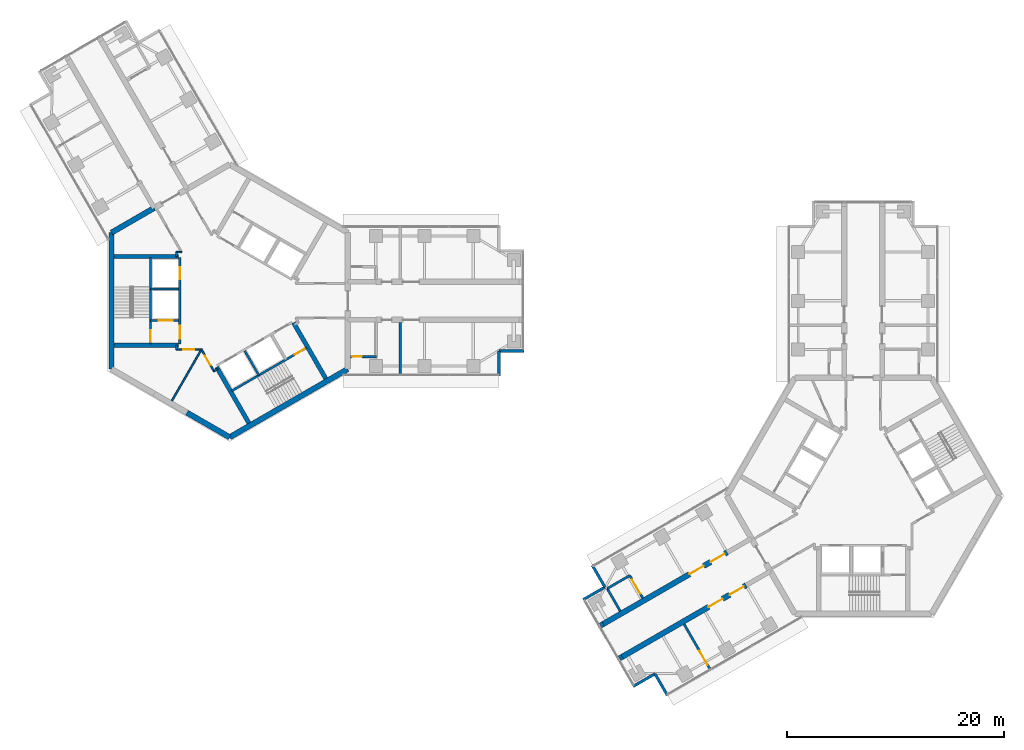
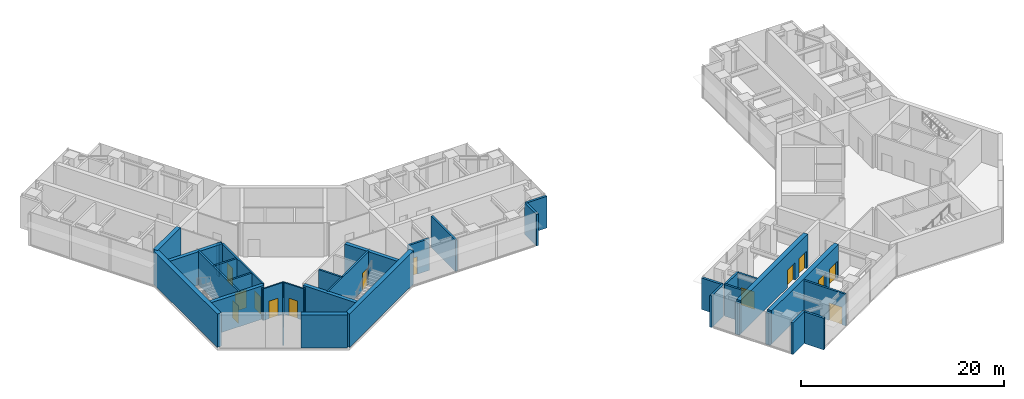
# One storey, part 11 of 17: 37 walls, 14 doors, 14 openings.
"""IFC4 building model written with IfcOpenShell, lengths in metres."""

from ifc_helpers import new_model, si_unit, direction, frame, frame_2d, origin, place, context, subcontext, project, spatial, rectangle, extrude, material, layer, layer_set, type_object, element, fill, save


model = new_model("IFC4")

# Units and contexts
model_context = context("Model", 3, precision=1e-05, world=origin(), true_north=direction((0.0, 1.0)))
body_context = subcontext(model_context, "Body", "Model", "MODEL_VIEW")
ifc_project = project(units=[si_unit("LENGTHUNIT", "METRE"), si_unit("AREAUNIT", "SQUARE_METRE"), si_unit("VOLUMEUNIT", "CUBIC_METRE"), si_unit("PLANEANGLEUNIT", "RADIAN"), si_unit("MASSUNIT", "GRAM", prefix="KILO")], contexts=[model_context])

# Site, building, storey
site_placement = place(None, origin())
site = spatial("IfcSite", under=ifc_project, at=site_placement, CompositionType="ELEMENT")
building_placement = place(site_placement, origin())
building = spatial("IfcBuilding", under=site, at=building_placement, Name="Upepo Twin Towers", CompositionType="ELEMENT")
storey_placement = place(building_placement, frame((0.0, 0.0, 178.5)))
storey = spatial("IfcBuildingStorey", under=building, at=storey_placement, Name="L43", CompositionType="ELEMENT", Elevation=178.5)

# Wall
ifc_material_1 = material(Name="Concrete blockwork, plastered both faces", Category="masonry")
ifc_layer_1 = layer(ifc_material_1, 0.215087890625)
ifc_layer_set_1 = layer_set([ifc_layer_1], Name="Blockwork partition 215")
wall_type_1 = type_object("IfcWallType", Name="Blockwork partition 215", PredefinedType="PARTITIONING", material=ifc_layer_set_1)
wall_1_placement = place(storey_placement, frame((15.75, -2.0, 0.0), z_axis=(0.0, 0.0, 1.0), x_axis=(0.0, -1.0, 0.0)))
element("IfcWall", 1, at=wall_1_placement, inside=storey, type_object=wall_type_1, Name="T1 partition AR at 15.75", PredefinedType="PARTITIONING", context=body_context, shape_type="SweptSolid", body=[
    extrude(rectangle(XDim=4.75, YDim=0.215087890625, at=frame_2d((2.375, 0.0))), origin(), (0.0, 0.0, 1.0), 3.800048828125),
])

# Wall, opening, door
wall_2_placement = place(storey_placement, frame((11.157958984375, -5.14990234375, 0.0), z_axis=(0.0, 0.0, 1.0), x_axis=(1.0, 0.0, 0.0)))
wall_2 = element("IfcWall", 2, at=wall_2_placement, inside=storey, type_object=wall_type_1, Name="T1 WC bay partition AR at 11.16", PredefinedType="PARTITIONING", context=body_context, shape_type="SweptSolid", body=[
    extrude(rectangle(XDim=2.400146484375, YDim=0.215087890625, at=frame_2d((1.2001953125, 0.0))), origin(), (0.0, 0.0, 1.0), 3.800048828125),
])
opening_1_placement = place(wall_2_placement, frame((0.14990234375, 0.0, 0.0)))
opening_1 = element("IfcOpeningElement", 3, at=opening_1_placement, cuts=wall_2, Name="Opening D14", PredefinedType="OPENING", context=body_context, shape_type="SweptSolid", body=[
    extrude(rectangle(XDim=0.89990234375, YDim=2.10009765625, at=frame_2d((0.449951171875, 1.050048828125))), frame((0.0, 0.117431640625, 0.0), z_axis=(0.0, -1.0, 0.0), x_axis=(1.0, 0.0, 0.0)), (0.0, 0.0, 1.0), 0.235107421875),
])
ifc_material_2 = material(Name="Timber doorset", Category="wood")
door_type_1 = type_object("IfcDoorType", Name="Office door 900 FD30", OperationType="SINGLE_SWING_LEFT", PredefinedType="DOOR", material=ifc_material_2)
door_1_placement = place(opening_1_placement, origin())
door_1 = element("IfcDoor", 4, at=door_1_placement, inside=storey, type_object=door_type_1, Name="T1 L43 WC bay inner room door", OperationType="SINGLE_SWING_LEFT", OverallHeight=2.10009765625, OverallWidth=0.89990234375, PredefinedType="DOOR", context=body_context, shape_type="SweptSolid", body=[
    extrude(rectangle(XDim=0.89990234375, YDim=2.10009765625, at=frame_2d((0.449951171875, 1.050048828125))), frame((0.0, 0.02490234375, 0.0), z_axis=(0.0, -1.0, 0.0), x_axis=(1.0, 0.0, 0.0)), (0.0, 0.0, 1.0), 0.050048828125),
])
fill(opening_1, door_1)

wall_3_placement = place(storey_placement, frame((41.962890625, -29.85693359375, 0.0), z_axis=(0.0, 0.0, 1.0), x_axis=(0.499986429846, -0.866033238375, 0.0)))
wall_3 = element("IfcWall", 5, at=wall_3_placement, inside=storey, type_object=wall_type_1, Name="T2 partition BL at 20.25", PredefinedType="PARTITIONING", context=body_context, shape_type="SweptSolid", body=[
    extrude(rectangle(XDim=4.750244140625, YDim=0.215087890625, at=frame_2d((2.375, 0.0))), origin(), (0.0, 0.0, 1.0), 3.800048828125),
])
opening_2_placement = place(wall_3_placement, frame((2.85009765625, 0.0, 0.0)))
opening_2 = element("IfcOpeningElement", 6, at=opening_2_placement, cuts=wall_3, Name="Opening D13", PredefinedType="OPENING", context=body_context, shape_type="SweptSolid", body=[
    extrude(rectangle(XDim=1.5, YDim=2.10009765625, at=frame_2d((0.75, 1.050048828125))), frame((0.0, 0.117431640625, 0.0), z_axis=(0.0, -1.0, 0.0), x_axis=(1.0, 0.0, 0.0)), (0.0, 0.0, 1.0), 0.235107421875),
])
ifc_material_3 = material(Name="Timber doorset", Category="wood")
door_type_2 = type_object("IfcDoorType", Name="Double door 1500 FD30", OperationType="DOUBLE_DOOR_SINGLE_SWING", PredefinedType="DOOR", material=ifc_material_3)
door_2_placement = place(opening_2_placement, origin())
door_2 = element("IfcDoor", 7, at=door_2_placement, inside=storey, type_object=door_type_2, Name="T2 L43 connecting door", OperationType="DOUBLE_DOOR_SINGLE_SWING", OverallHeight=2.10009765625, OverallWidth=1.5, PredefinedType="DOOR", context=body_context, shape_type="SweptSolid", body=[
    extrude(rectangle(XDim=1.5, YDim=2.10009765625, at=frame_2d((0.75, 1.050048828125))), frame((0.0, 0.02490234375, 0.0), z_axis=(0.0, -1.0, 0.0), x_axis=(1.0, 0.0, 0.0)), (0.0, 0.0, 1.0), 0.050048828125),
])
fill(opening_2, door_2)

# Wall
wall_4_placement = place(storey_placement, frame((36.9443359375, -25.364501953125, 0.0), z_axis=(0.0, 0.0, 1.0), x_axis=(-0.866024647952, -0.500001309137, 0.0)))
element("IfcWall", 8, at=wall_4_placement, inside=storey, type_object=wall_type_1, Name="T2 inner room partition BR at 22.35", PredefinedType="PARTITIONING", context=body_context, shape_type="SweptSolid", body=[
    extrude(rectangle(XDim=2.39990234375, YDim=0.215087890625, at=frame_2d((1.199951171875, 0.0))), origin(), (0.0, 0.0, 1.0), 3.800048828125),
])

# Wall, opening, door
wall_5_placement = place(storey_placement, frame((38.144287109375, -27.44287109375, 0.0), z_axis=(0.0, 0.0, 1.0), x_axis=(-0.500001309137, 0.866024647952, 0.0)))
wall_5 = element("IfcWall", 9, at=wall_5_placement, inside=storey, type_object=wall_type_1, Name="T2 inner room partition BR end at 22.35", PredefinedType="PARTITIONING", context=body_context, shape_type="SweptSolid", body=[
    extrude(rectangle(XDim=2.39990234375, YDim=0.215087890625, at=frame_2d((1.199951171875, 0.0))), origin(), (0.0, 0.0, 1.0), 3.800048828125),
])
opening_3_placement = place(wall_5_placement, frame((0.449951171875, 0.0, 0.0)))
opening_3 = element("IfcOpeningElement", 10, at=opening_3_placement, cuts=wall_5, Name="Opening D13", PredefinedType="OPENING", context=body_context, shape_type="SweptSolid", body=[
    extrude(rectangle(XDim=1.5, YDim=2.10009765625, at=frame_2d((0.75, 1.050048828125))), frame((0.0, 0.117431640625, 0.0), z_axis=(0.0, -1.0, 0.0), x_axis=(1.0, 0.0, 0.0)), (0.0, 0.0, 1.0), 0.235107421875),
])
door_3_placement = place(opening_3_placement, origin())
door_3 = element("IfcDoor", 11, at=door_3_placement, inside=storey, type_object=door_type_2, Name="T2 L43 inner room door", OperationType="DOUBLE_DOOR_SINGLE_SWING", OverallHeight=2.10009765625, OverallWidth=1.5, PredefinedType="DOOR", context=body_context, shape_type="SweptSolid", body=[
    extrude(rectangle(XDim=1.5, YDim=2.10009765625, at=frame_2d((0.75, 1.050048828125))), frame((0.0, 0.02490234375, 0.0), z_axis=(0.0, -1.0, 0.0), x_axis=(1.0, 0.0, 0.0)), (0.0, 0.0, 1.0), 0.050048828125),
])
fill(opening_3, door_3)

# Walls
wall_6_placement = place(storey_placement, frame((36.06591796875, -28.64306640625, 0.0), z_axis=(0.0, 0.0, 1.0), x_axis=(-0.499957262057, 0.866050077142, 0.0)))
element("IfcWall", 12, at=wall_6_placement, inside=storey, type_object=wall_type_1, Name="T2 inner room partition BR end at 24.75", PredefinedType="PARTITIONING", context=body_context, shape_type="SweptSolid", body=[
    extrude(rectangle(XDim=2.400146484375, YDim=0.215087890625, at=frame_2d((1.2001953125, 0.0))), origin(), (0.0, 0.0, 1.0), 3.800048828125),
])
ifc_material_4 = material(Name="Dense concrete blockwork", Category="masonry")
ifc_layer_2 = layer(ifc_material_4, 0.5)
ifc_layer_set_2 = layer_set([ifc_layer_2], Name="Buttress closer 500, blockwork with fire-stopping to the curtain wall")
wall_type_2 = type_object("IfcWallType", Name="Buttress closer 500, blockwork with fire-stopping to the curtain wall", PredefinedType="PARTITIONING", material=ifc_layer_set_2)
for number, where, z_axis, x_axis, name in (
    (13, (36.252197265625, -32.865478515625, 0.0), (0.0, 0.0, 1.0), (-0.86598763626, -0.500065409566, 0.0), "T2 L43 wing B buttress closer L"),
    (14, (34.502197265625, -29.83447265625, 0.0), (0.0, 0.0, 1.0), (-0.86598763626, -0.500065409566, 0.0), "T2 L43 wing B buttress closer R"),
):
    element("IfcWall", number, at=place(storey_placement, frame(where, z_axis=z_axis, x_axis=x_axis)), inside=storey, type_object=wall_type_2, Name=name, PredefinedType="PARTITIONING", context=body_context, shape_type="SweptSolid", body=[
        extrude(rectangle(XDim=0.28759765625, YDim=0.5, at=frame_2d((0.143798828125, 0.0))), origin(), (0.0, 0.0, 1.0), 3.800048828125),
    ])

# Wall, openings, doors
ifc_material_5 = material(Name="Concrete C60/75", Category="concrete")
ifc_layer_3 = layer(ifc_material_5, 0.5)
ifc_layer_set_3 = layer_set([ifc_layer_3], Name="Concrete C60/75")
wall_type_3 = type_object("IfcWallType", Name="Buttress wall 500 RC", PredefinedType="SHEAR", material=ifc_layer_set_3)
wall_7_placement = place(storey_placement, frame((47.68359375, -26.265625, 0.0), z_axis=(0.0, 0.0, 1.0), x_axis=(-0.866027579429, -0.499996231654, 0.0)))
wall_7 = element("IfcWall", 15, at=wall_7_placement, inside=storey, type_object=wall_type_3, Name="T2 wing B buttress wall L part 2", PredefinedType="SHEAR", context=body_context, shape_type="SweptSolid", body=[
    extrude(rectangle(XDim=13.19970703125, YDim=0.5, at=frame_2d((6.599853515625, 0.0))), origin(), (0.0, 0.0, 1.0), 4.0),
])
opening_4_placement = place(wall_7_placement, frame((0.25, 0.0, 0.0)))
opening_4 = element("IfcOpeningElement", 16, at=opening_4_placement, cuts=wall_7, Name="Opening D13", PredefinedType="OPENING", context=body_context, shape_type="SweptSolid", body=[
    extrude(rectangle(XDim=1.5, YDim=2.10009765625, at=frame_2d((0.75, 1.050048828125))), frame((0.0, 0.260009765625, 0.0), z_axis=(0.0, -1.0, 0.0), x_axis=(1.0, 0.0, 0.0)), (0.0, 0.0, 1.0), 0.52001953125),
])
opening_5_placement = place(wall_7_placement, frame((2.5, 0.0, 0.0)))
opening_5 = element("IfcOpeningElement", 17, at=opening_5_placement, cuts=wall_7, Name="Opening D13", PredefinedType="OPENING", context=body_context, shape_type="SweptSolid", body=[
    extrude(rectangle(XDim=1.5, YDim=2.10009765625, at=frame_2d((0.75, 1.050048828125))), frame((0.0, 0.260009765625, 0.0), z_axis=(0.0, -1.0, 0.0), x_axis=(1.0, 0.0, 0.0)), (0.0, 0.0, 1.0), 0.52001953125),
])
door_4_placement = place(opening_4_placement, origin())
door_4 = element("IfcDoor", 18, at=door_4_placement, inside=storey, type_object=door_type_2, Name="T2 L43 lecture room door", OperationType="DOUBLE_DOOR_SINGLE_SWING", OverallHeight=2.10009765625, OverallWidth=1.5, PredefinedType="DOOR", context=body_context, shape_type="SweptSolid", body=[
    extrude(rectangle(XDim=1.5, YDim=2.10009765625, at=frame_2d((0.75, 1.050048828125))), frame((0.0, 0.02490234375, 0.0), z_axis=(0.0, -1.0, 0.0), x_axis=(1.0, 0.0, 0.0)), (0.0, 0.0, 1.0), 0.050048828125),
])
fill(opening_4, door_4)
door_5_placement = place(opening_5_placement, origin())
door_5 = element("IfcDoor", 19, at=door_5_placement, inside=storey, type_object=door_type_2, Name="T2 L43 lecture room door", OperationType="DOUBLE_DOOR_SINGLE_SWING", OverallHeight=2.10009765625, OverallWidth=1.5, PredefinedType="DOOR", context=body_context, shape_type="SweptSolid", body=[
    extrude(rectangle(XDim=1.5, YDim=2.10009765625, at=frame_2d((0.75, 1.050048828125))), frame((0.0, 0.02490234375, 0.0), z_axis=(0.0, -1.0, 0.0), x_axis=(1.0, 0.0, 0.0)), (0.0, 0.0, 1.0), 0.050048828125),
])
fill(opening_5, door_5)

wall_8_placement = place(storey_placement, frame((45.93359375, -23.234375, 0.0), z_axis=(0.0, 0.0, 1.0), x_axis=(-0.866019570528, -0.500010103361, 0.0)))
wall_8 = element("IfcWall", 20, at=wall_8_placement, inside=storey, type_object=wall_type_3, Name="T2 wing B buttress wall R part 2", PredefinedType="SHEAR", context=body_context, shape_type="SweptSolid", body=[
    extrude(rectangle(XDim=13.199951171875, YDim=0.5, at=frame_2d((6.60009765625, 0.0))), origin(), (0.0, 0.0, 1.0), 4.0),
])
opening_6_placement = place(wall_8_placement, frame((0.25, 0.0, 0.0)))
opening_6 = element("IfcOpeningElement", 21, at=opening_6_placement, cuts=wall_8, Name="Opening D13", PredefinedType="OPENING", context=body_context, shape_type="SweptSolid", body=[
    extrude(rectangle(XDim=1.5, YDim=2.10009765625, at=frame_2d((0.75, 1.050048828125))), frame((0.0, 0.260009765625, 0.0), z_axis=(0.0, -1.0, 0.0), x_axis=(1.0, 0.0, 0.0)), (0.0, 0.0, 1.0), 0.52001953125),
])
opening_7_placement = place(wall_8_placement, frame((2.5, 0.0, 0.0)))
opening_7 = element("IfcOpeningElement", 22, at=opening_7_placement, cuts=wall_8, Name="Opening D13", PredefinedType="OPENING", context=body_context, shape_type="SweptSolid", body=[
    extrude(rectangle(XDim=1.5, YDim=2.10009765625, at=frame_2d((0.75, 1.050048828125))), frame((0.0, 0.260009765625, 0.0), z_axis=(0.0, -1.0, 0.0), x_axis=(1.0, 0.0, 0.0)), (0.0, 0.0, 1.0), 0.52001953125),
])
door_6_placement = place(opening_6_placement, origin())
door_6 = element("IfcDoor", 23, at=door_6_placement, inside=storey, type_object=door_type_2, Name="T2 L43 lecture room door", OperationType="DOUBLE_DOOR_SINGLE_SWING", OverallHeight=2.10009765625, OverallWidth=1.5, PredefinedType="DOOR", context=body_context, shape_type="SweptSolid", body=[
    extrude(rectangle(XDim=1.5, YDim=2.10009765625, at=frame_2d((0.75, 1.050048828125))), frame((0.0, 0.02490234375, 0.0), z_axis=(0.0, -1.0, 0.0), x_axis=(1.0, 0.0, 0.0)), (0.0, 0.0, 1.0), 0.050048828125),
])
fill(opening_6, door_6)
door_7_placement = place(opening_7_placement, origin())
door_7 = element("IfcDoor", 24, at=door_7_placement, inside=storey, type_object=door_type_2, Name="T2 L43 lecture room door", OperationType="DOUBLE_DOOR_SINGLE_SWING", OverallHeight=2.10009765625, OverallWidth=1.5, PredefinedType="DOOR", context=body_context, shape_type="SweptSolid", body=[
    extrude(rectangle(XDim=1.5, YDim=2.10009765625, at=frame_2d((0.75, 1.050048828125))), frame((0.0, 0.02490234375, 0.0), z_axis=(0.0, -1.0, 0.0), x_axis=(1.0, 0.0, 0.0)), (0.0, 0.0, 1.0), 0.050048828125),
])
fill(opening_7, door_7)

# Walls
ifc_material_6 = material(Name="Concrete C60/75", Category="concrete")
ifc_layer_4 = layer(ifc_material_6, 0.5)
ifc_layer_set_4 = layer_set([ifc_layer_4], Name="Concrete C60/75")
wall_type_4 = type_object("IfcWallType", Name="Core wall 500 RC", PredefinedType="SHEAR", material=ifc_layer_set_4)
wall_9_placement = place(storey_placement, frame((-6.9697265625, 8.57177734375, 0.0), z_axis=(0.0, 0.0, 1.0), x_axis=(-0.866034513004, -0.499984222037, 0.0)))
element("IfcWall", 25, at=wall_9_placement, inside=storey, type_object=wall_type_4, Name="T1 core wall 120 L", PredefinedType="SHEAR", context=body_context, shape_type="SweptSolid", body=[
    extrude(rectangle(XDim=4.548095703125, YDim=0.5, at=frame_2d((2.27392578125, 0.0))), origin(), (0.0, 0.0, 1.0), 4.0),
])
wall_10_placement = place(storey_placement, frame((-10.908447265625, 6.2978515625, 0.0), z_axis=(0.0, 0.0, 1.0), x_axis=(0.0, -1.0, 0.0)))
element("IfcWall", 26, at=wall_10_placement, inside=storey, type_object=wall_type_4, Name="T1 core wall 180", PredefinedType="SHEAR", context=body_context, shape_type="SweptSolid", body=[
    extrude(rectangle(XDim=12.595703125, YDim=0.5, at=frame_2d((6.2978515625, 0.0))), origin(), (0.0, 0.0, 1.0), 4.0),
])
wall_11_placement = place(storey_placement, frame((-3.938720703125, -10.32177734375, 0.0), z_axis=(0.0, 0.0, 1.0), x_axis=(0.866011268655, -0.500024481964, 0.0)))
element("IfcWall", 27, at=wall_11_placement, inside=storey, type_object=wall_type_4, Name="T1 core wall 240 L", PredefinedType="SHEAR", context=body_context, shape_type="SweptSolid", body=[
    extrude(rectangle(XDim=4.548095703125, YDim=0.5, at=frame_2d((2.27392578125, 0.0))), origin(), (0.0, 0.0, 1.0), 4.0),
])
wall_12_placement = place(storey_placement, frame((0.0, -12.595947265625, 0.0), z_axis=(0.0, 0.0, 1.0), x_axis=(0.866021940709, 0.500005998175, 0.0)))
element("IfcWall", 28, at=wall_12_placement, inside=storey, type_object=wall_type_4, Name="T1 core wall 300", PredefinedType="SHEAR", context=body_context, shape_type="SweptSolid", body=[
    extrude(rectangle(XDim=12.595947265625, YDim=0.5, at=frame_2d((6.2978515625, 0.0))), origin(), (0.0, 0.0, 1.0), 4.0),
])
ifc_material_7 = material(Name="Blockwork with anodised aluminium cladding", Category="masonry")
ifc_layer_5 = layer(ifc_material_7, 0.25)
ifc_layer_set_5 = layer_set([ifc_layer_5], Name="Notch cladding wall 250, pale metal")
wall_type_5 = type_object("IfcWallType", Name="Notch cladding wall 250, pale metal", PredefinedType="STANDARD", material=ifc_layer_set_5)
for number, where, z_axis, x_axis, name in (
    (29, (24.875, -6.949951171875, 0.0), (0.0, 0.0, 1.0), (0.0, 1.0, 0.0), "T1 L43 wing A notch wall R1"),
    (30, (24.875, -4.625, 0.0), (0.0, 0.0, 1.0), (1.0, 0.0, 0.0), "T1 L43 wing A notch wall R2"),
    (31, (40.4326171875, -36.456298828125, 0.0), (0.0, 0.0, 1.0), (-0.500046648681, 0.865998469481, 0.0), "T2 L43 wing B notch wall L1"),
    (32, (39.27001953125, -34.44287109375, 0.0), (0.0, 0.0, 1.0), (-0.865998469481, -0.500046648681, 0.0), "T2 L43 wing B notch wall L2"),
    (33, (33.482666015625, -24.418701171875, 0.0), (0.0, 0.0, 1.0), (0.499967891604, -0.866043940782, 0.0), "T2 L43 wing B notch wall R1"),
    (34, (34.64501953125, -26.43212890625, 0.0), (0.0, 0.0, 1.0), (-0.865998469481, -0.500046648681, 0.0), "T2 L43 wing B notch wall R2"),
):
    element("IfcWall", number, at=place(storey_placement, frame(where, z_axis=z_axis, x_axis=x_axis)), inside=storey, type_object=wall_type_5, Name=name, PredefinedType="STANDARD", context=body_context, shape_type="SweptSolid", body=[
        extrude(rectangle(XDim=2.324951171875, YDim=0.25, at=frame_2d((1.16259765625, 0.0))), origin(), (0.0, 0.0, 1.0), 3.800048828125),
    ])

# Wall, openings, doors
ifc_material_8 = material(Name="Concrete C40/50", Category="concrete")
ifc_layer_6 = layer(ifc_material_8, 0.199951171875)
ifc_layer_set_6 = layer_set([ifc_layer_6], Name="Concrete C40/50")
wall_type_6 = type_object("IfcWallType", Name="Shaft wall 200 RC", PredefinedType="SHEAR", material=ifc_layer_set_6)
wall_13_placement = place(storey_placement, frame((-4.60009765625, 4.0, 0.0), z_axis=(0.0, 0.0, 1.0), x_axis=(0.0, -1.0, 0.0)))
wall_13 = element("IfcWall", 35, at=wall_13_placement, inside=storey, type_object=wall_type_6, Name="T1 core W180 front wall", PredefinedType="SHEAR", context=body_context, shape_type="SweptSolid", body=[
    extrude(rectangle(XDim=8.0, YDim=0.199951171875, at=frame_2d((4.0, 0.0))), origin(), (0.0, 0.0, 1.0), 4.0),
])
opening_8_placement = place(wall_13_placement, frame((6.300048828125, 0.0, 0.0)))
opening_8 = element("IfcOpeningElement", 36, at=opening_8_placement, cuts=wall_13, Name="Opening D4", PredefinedType="OPENING", context=body_context, shape_type="SweptSolid", body=[
    extrude(rectangle(XDim=1.199951171875, YDim=2.10009765625, at=frame_2d((0.60009765625, 1.050048828125))), frame((0.0, 0.10986328125, 0.0), z_axis=(0.0, -1.0, 0.0), x_axis=(1.0, 0.0, 0.0)), (0.0, 0.0, 1.0), 0.219970703125),
])
opening_9_placement = place(wall_13_placement, frame((0.89990234375, 0.0, 0.0)))
opening_9 = element("IfcOpeningElement", 37, at=opening_9_placement, cuts=wall_13, Name="Opening LD1", PredefinedType="OPENING", context=body_context, shape_type="SweptSolid", body=[
    extrude(rectangle(XDim=1.10009765625, YDim=2.199951171875, at=frame_2d((0.550048828125, 1.10009765625))), frame((0.0, 0.10986328125, 0.0), z_axis=(0.0, -1.0, 0.0), x_axis=(1.0, 0.0, 0.0)), (0.0, 0.0, 1.0), 0.219970703125),
])
ifc_material_9 = material(Name="Steel doorset", Category="steel")
door_type_3 = type_object("IfcDoorType", Name="Lift landing door 1100", OperationType="DOUBLE_DOOR_SLIDING", PredefinedType="DOOR", material=ifc_material_9)
door_8_placement = place(opening_9_placement, origin())
door_8 = element("IfcDoor", 38, at=door_8_placement, inside=storey, type_object=door_type_3, Name="T1 L43 lift SV1 landing door", OperationType="DOUBLE_DOOR_SLIDING", OverallHeight=2.199951171875, OverallWidth=1.10009765625, PredefinedType="DOOR", context=body_context, shape_type="SweptSolid", body=[
    extrude(rectangle(XDim=1.10009765625, YDim=2.199951171875, at=frame_2d((0.550048828125, 1.10009765625))), frame((0.0, 0.02490234375, 0.0), z_axis=(0.0, -1.0, 0.0), x_axis=(1.0, 0.0, 0.0)), (0.0, 0.0, 1.0), 0.050048828125),
])
fill(opening_9, door_8)
ifc_material_10 = material(Name="Timber doorset", Category="wood")
door_type_4 = type_object("IfcDoorType", Name="Lobby door 1200 FD60", OperationType="SINGLE_SWING_LEFT", PredefinedType="DOOR", material=ifc_material_10)
door_9_placement = place(opening_8_placement, origin())
door_9 = element("IfcDoor", 39, at=door_9_placement, inside=storey, type_object=door_type_4, Name="T1 L43 W180 lobby door", OperationType="SINGLE_SWING_RIGHT", OverallHeight=2.10009765625, OverallWidth=1.199951171875, PredefinedType="DOOR", context=body_context, shape_type="SweptSolid", body=[
    extrude(rectangle(XDim=1.199951171875, YDim=2.10009765625, at=frame_2d((0.60009765625, 1.050048828125))), frame((0.0, 0.02490234375, 0.0), z_axis=(0.0, -1.0, 0.0), x_axis=(1.0, 0.0, 0.0)), (0.0, 0.0, 1.0), 0.050048828125),
])
fill(opening_8, door_9)

# Wall
wall_14_placement = place(storey_placement, frame((-4.699951171875, 1.10009765625, 0.0), z_axis=(0.0, 0.0, 1.0), x_axis=(-1.0, 0.0, 0.0)))
element("IfcWall", 40, at=wall_14_placement, inside=storey, type_object=wall_type_6, Name="T1 core W180 shaft divider", PredefinedType="SHEAR", context=body_context, shape_type="SweptSolid", body=[
    extrude(rectangle(XDim=2.60009765625, YDim=0.199951171875, at=frame_2d((1.300048828125, 0.0))), origin(), (0.0, 0.0, 1.0), 4.0),
])

# Wall, opening, door
wall_15_placement = place(storey_placement, frame((-4.699951171875, -1.800048828125, 0.0), z_axis=(0.0, 0.0, 1.0), x_axis=(-1.0, 0.0, 0.0)))
wall_15 = element("IfcWall", 41, at=wall_15_placement, inside=storey, type_object=wall_type_6, Name="T1 core W180 lobby wall", PredefinedType="SHEAR", context=body_context, shape_type="SweptSolid", body=[
    extrude(rectangle(XDim=2.60009765625, YDim=0.199951171875, at=frame_2d((1.300048828125, 0.0))), origin(), (0.0, 0.0, 1.0), 4.0),
])
opening_10_placement = place(wall_15_placement, frame((0.550048828125, 0.0, 0.0)))
opening_10 = element("IfcOpeningElement", 42, at=opening_10_placement, cuts=wall_15, Name="Opening LD2", PredefinedType="OPENING", context=body_context, shape_type="SweptSolid", body=[
    extrude(rectangle(XDim=1.300048828125, YDim=2.199951171875, at=frame_2d((0.64990234375, 1.10009765625))), frame((0.0, 0.10986328125, 0.0), z_axis=(0.0, -1.0, 0.0), x_axis=(1.0, 0.0, 0.0)), (0.0, 0.0, 1.0), 0.219970703125),
])
ifc_material_11 = material(Name="Steel doorset", Category="steel")
door_type_5 = type_object("IfcDoorType", Name="Firefighting lift landing door 1300", OperationType="DOUBLE_DOOR_SLIDING", PredefinedType="DOOR", material=ifc_material_11)
door_10_placement = place(opening_10_placement, origin())
door_10 = element("IfcDoor", 43, at=door_10_placement, inside=storey, type_object=door_type_5, Name="T1 L43 firefighting lift landing door", OperationType="DOUBLE_DOOR_SLIDING", OverallHeight=2.199951171875, OverallWidth=1.300048828125, PredefinedType="DOOR", context=body_context, shape_type="SweptSolid", body=[
    extrude(rectangle(XDim=1.300048828125, YDim=2.199951171875, at=frame_2d((0.64990234375, 1.10009765625))), frame((0.0, 0.02490234375, 0.0), z_axis=(0.0, -1.0, 0.0), x_axis=(1.0, 0.0, 0.0)), (0.0, 0.0, 1.0), 0.050048828125),
])
fill(opening_10, door_10)

wall_16_placement = place(storey_placement, frame((-7.300048828125, 4.0, 0.0), z_axis=(0.0, 0.0, 1.0), x_axis=(0.0, -1.0, 0.0)))
wall_16 = element("IfcWall", 44, at=wall_16_placement, inside=storey, type_object=wall_type_6, Name="T1 core W180 stair wall", PredefinedType="SHEAR", context=body_context, shape_type="SweptSolid", body=[
    extrude(rectangle(XDim=8.0, YDim=0.199951171875, at=frame_2d((4.0, 0.0))), origin(), (0.0, 0.0, 1.0), 4.0),
])
opening_11_placement = place(wall_16_placement, frame((6.699951171875, 0.0, 0.0)))
opening_11 = element("IfcOpeningElement", 45, at=opening_11_placement, cuts=wall_16, Name="Opening D3", PredefinedType="OPENING", context=body_context, shape_type="SweptSolid", body=[
    extrude(rectangle(XDim=1.10009765625, YDim=2.10009765625, at=frame_2d((0.550048828125, 1.050048828125))), frame((0.0, 0.10986328125, 0.0), z_axis=(0.0, -1.0, 0.0), x_axis=(1.0, 0.0, 0.0)), (0.0, 0.0, 1.0), 0.219970703125),
])
ifc_material_12 = material(Name="Timber doorset", Category="wood")
door_type_6 = type_object("IfcDoorType", Name="Stair door 1100 FD60", OperationType="SINGLE_SWING_LEFT", PredefinedType="DOOR", material=ifc_material_12)
door_11_placement = place(opening_11_placement, origin())
door_11 = element("IfcDoor", 46, at=door_11_placement, inside=storey, type_object=door_type_6, Name="T1 L43 stair door", OperationType="SINGLE_SWING_RIGHT", OverallHeight=2.10009765625, OverallWidth=1.10009765625, PredefinedType="DOOR", context=body_context, shape_type="SweptSolid", body=[
    extrude(rectangle(XDim=1.10009765625, YDim=2.10009765625, at=frame_2d((0.550048828125, 1.050048828125))), frame((0.0, 0.02490234375, 0.0), z_axis=(0.0, -1.0, 0.0), x_axis=(1.0, 0.0, 0.0)), (0.0, 0.0, 1.0), 0.050048828125),
])
fill(opening_11, door_11)

# Wall
wall_17_placement = place(storey_placement, frame((1.3974609375, -4.620361328125, 0.0), z_axis=(0.0, 0.0, 1.0), x_axis=(0.499936506574, -0.866062058628, 0.0)))
element("IfcWall", 47, at=wall_17_placement, inside=storey, type_object=wall_type_6, Name="T1 core W300 shaft divider", PredefinedType="SHEAR", context=body_context, shape_type="SweptSolid", body=[
    extrude(rectangle(XDim=2.599853515625, YDim=0.199951171875, at=frame_2d((1.2998046875, 0.0))), origin(), (0.0, 0.0, 1.0), 4.0),
])

# Wall, opening, door
wall_18_placement = place(storey_placement, frame((0.185791015625, -8.322021484375, 0.0), z_axis=(0.0, 0.0, 1.0), x_axis=(0.866026010844, 0.49999894854, 0.0)))
wall_18 = element("IfcWall", 48, at=wall_18_placement, inside=storey, type_object=wall_type_6, Name="T1 core W300 stair wall", PredefinedType="SHEAR", context=body_context, shape_type="SweptSolid", body=[
    extrude(rectangle(XDim=8.0, YDim=0.199951171875, at=frame_2d((4.0, 0.0))), origin(), (0.0, 0.0, 1.0), 4.0),
])
opening_12_placement = place(wall_18_placement, frame((6.699951171875, 0.0, 0.0)))
opening_12 = element("IfcOpeningElement", 49, at=opening_12_placement, cuts=wall_18, Name="Opening D3", PredefinedType="OPENING", context=body_context, shape_type="SweptSolid", body=[
    extrude(rectangle(XDim=1.10009765625, YDim=2.10009765625, at=frame_2d((0.550048828125, 1.050048828125))), frame((0.0, 0.10986328125, 0.0), z_axis=(0.0, -1.0, 0.0), x_axis=(1.0, 0.0, 0.0)), (0.0, 0.0, 1.0), 0.219970703125),
])
door_12_placement = place(opening_12_placement, origin())
door_12 = element("IfcDoor", 50, at=door_12_placement, inside=storey, type_object=door_type_6, Name="T1 L43 stair door", OperationType="SINGLE_SWING_RIGHT", OverallHeight=2.10009765625, OverallWidth=1.10009765625, PredefinedType="DOOR", context=body_context, shape_type="SweptSolid", body=[
    extrude(rectangle(XDim=1.10009765625, YDim=2.10009765625, at=frame_2d((0.550048828125, 1.050048828125))), frame((0.0, 0.02490234375, 0.0), z_axis=(0.0, -1.0, 0.0), x_axis=(1.0, 0.0, 0.0)), (0.0, 0.0, 1.0), 0.050048828125),
])
fill(opening_12, door_12)

# Walls
ifc_material_13 = material(Name="Concrete C40/50", Category="concrete")
ifc_layer_7 = layer(ifc_material_13, 0.39990234375)
ifc_layer_set_7 = layer_set([ifc_layer_7], Name="Concrete C40/50")
wall_type_7 = type_object("IfcWallType", Name="Shaft wall 400 RC", PredefinedType="SHEAR", material=ifc_layer_set_7)
for number, where, z_axis, x_axis, name in (
    (51, (-4.699951171875, -4.10009765625, 0.0), (0.0, 0.0, 1.0), (-1.0, 0.0, 0.0), "T1 core W180 side wall N"),
    (52, (-4.699951171875, 4.10009765625, 0.0), (0.0, 0.0, 1.0), (-1.0, 0.0, 0.0), "T1 core W180 side wall S"),
    (53, (5.900634765625, -2.020263671875, 0.0), (0.0, 0.0, 1.0), (0.500003832394, -0.86602319114, 0.0), "T1 core W300 side wall N"),
):
    element("IfcWall", number, at=place(storey_placement, frame(where, z_axis=z_axis, x_axis=x_axis)), inside=storey, type_object=wall_type_7, Name=name, PredefinedType="SHEAR", context=body_context, shape_type="SweptSolid", body=[
        extrude(rectangle(XDim=5.95849609375, YDim=0.39990234375, at=frame_2d((2.979248046875, 0.0))), origin(), (0.0, 0.0, 1.0), 4.0),
    ])
wall_19_placement = place(storey_placement, frame((-1.20068359375, -6.120361328125, 0.0), z_axis=(0.0, 0.0, 1.0), x_axis=(0.500021575205, -0.866012946976, 0.0)))
element("IfcWall", 54, at=wall_19_placement, inside=storey, type_object=wall_type_7, Name="T1 core W300 side wall S", PredefinedType="SHEAR", context=body_context, shape_type="SweptSolid", body=[
    extrude(rectangle(XDim=5.958251953125, YDim=0.39990234375, at=frame_2d((2.97900390625, 0.0))), origin(), (0.0, 0.0, 1.0), 4.0),
])
ifc_material_14 = material(Name="Gypsum board on steel studs", Category="steel")
ifc_layer_8 = layer(ifc_material_14, 0.14990234375)
ifc_layer_set_8 = layer_set([ifc_layer_8], Name="Teaching partition 150 acoustic")
wall_type_8 = type_object("IfcWallType", Name="Teaching partition 150 acoustic", PredefinedType="PARTITIONING", material=ifc_layer_set_8)
wall_20_placement = place(storey_placement, frame((-1.092041015625, -6.28857421875, 0.0), z_axis=(0.0, 0.0, 1.0), x_axis=(-0.866138304741, -0.499804398801, 0.0)))
element("IfcWall", 55, at=wall_20_placement, inside=storey, type_object=wall_type_8, Name="T1 core room partition 2", PredefinedType="PARTITIONING", context=body_context, shape_type="SweptSolid", body=[
    extrude(rectangle(XDim=0.429931640625, YDim=0.14990234375, at=frame_2d((0.21484375, 0.0))), origin(), (0.0, 0.0, 1.0), 3.800048828125),
])

# Wall, opening, door
wall_21_placement = place(storey_placement, frame((-1.43701171875, -6.5107421875, 0.0), z_axis=(0.0, 0.0, 1.0), x_axis=(-0.500074377092, 0.865982457891, 0.0)))
wall_21 = element("IfcWall", 56, at=wall_21_placement, inside=storey, type_object=wall_type_8, Name="T1 core room partition 3", PredefinedType="PARTITIONING", context=body_context, shape_type="SweptSolid", body=[
    extrude(rectangle(XDim=2.342041015625, YDim=0.14990234375, at=frame_2d((1.1708984375, 0.0))), origin(), (0.0, 0.0, 1.0), 3.800048828125),
])
opening_13_placement = place(wall_21_placement, frame((0.660888671875, 0.0, 0.0)))
opening_13 = element("IfcOpeningElement", 57, at=opening_13_placement, cuts=wall_21, Name="Opening D1", PredefinedType="OPENING", context=body_context, shape_type="SweptSolid", body=[
    extrude(rectangle(XDim=1.0, YDim=2.10009765625, at=frame_2d((0.5, 1.050048828125))), frame((0.0, 0.0849609375, 0.0), z_axis=(0.0, -1.0, 0.0), x_axis=(1.0, 0.0, 0.0)), (0.0, 0.0, 1.0), 0.169921875),
])
ifc_material_15 = material(Name="Timber doorset", Category="wood")
door_type_7 = type_object("IfcDoorType", Name="Room door 1000 FD30", OperationType="SINGLE_SWING_LEFT", PredefinedType="DOOR", material=ifc_material_15)
door_13_placement = place(opening_13_placement, origin())
door_13 = element("IfcDoor", 58, at=door_13_placement, inside=storey, type_object=door_type_7, Name="T1 L43 core room door K2", OperationType="SINGLE_SWING_LEFT", OverallHeight=2.10009765625, OverallWidth=1.0, PredefinedType="DOOR", context=body_context, shape_type="SweptSolid", body=[
    extrude(rectangle(XDim=1.0, YDim=2.10009765625, at=frame_2d((0.5, 1.050048828125))), frame((0.0, 0.02490234375, 0.0), z_axis=(0.0, -1.0, 0.0), x_axis=(1.0, 0.0, 0.0)), (0.0, 0.0, 1.0), 0.050048828125),
])
fill(opening_13, door_13)

wall_22_placement = place(storey_placement, frame((-2.578125, -4.5, 0.0), z_axis=(0.0, 0.0, 1.0), x_axis=(-1.0, 0.0, 0.0)))
wall_22 = element("IfcWall", 59, at=wall_22_placement, inside=storey, type_object=wall_type_8, Name="T1 core room partition 4", PredefinedType="PARTITIONING", context=body_context, shape_type="SweptSolid", body=[
    extrude(rectangle(XDim=2.341796875, YDim=0.14990234375, at=frame_2d((1.1708984375, 0.0))), origin(), (0.0, 0.0, 1.0), 3.800048828125),
])
opening_14_placement = place(wall_22_placement, frame((0.68115234375, 0.0, 0.0)))
opening_14 = element("IfcOpeningElement", 60, at=opening_14_placement, cuts=wall_22, Name="Opening D1", PredefinedType="OPENING", context=body_context, shape_type="SweptSolid", body=[
    extrude(rectangle(XDim=1.0, YDim=2.10009765625, at=frame_2d((0.5, 1.050048828125))), frame((0.0, 0.0849609375, 0.0), z_axis=(0.0, -1.0, 0.0), x_axis=(1.0, 0.0, 0.0)), (0.0, 0.0, 1.0), 0.169921875),
])
door_14_placement = place(opening_14_placement, origin())
door_14 = element("IfcDoor", 61, at=door_14_placement, inside=storey, type_object=door_type_7, Name="T1 L43 core room door K1", OperationType="SINGLE_SWING_RIGHT", OverallHeight=2.10009765625, OverallWidth=1.0, PredefinedType="DOOR", context=body_context, shape_type="SweptSolid", body=[
    extrude(rectangle(XDim=1.0, YDim=2.10009765625, at=frame_2d((0.5, 1.050048828125))), frame((0.0, 0.02490234375, 0.0), z_axis=(0.0, -1.0, 0.0), x_axis=(1.0, 0.0, 0.0)), (0.0, 0.0, 1.0), 0.050048828125),
])
fill(opening_14, door_14)

# Walls
for number, where, z_axis, x_axis, name in (
    (62, (-4.89990234375, -4.52001953125, 0.0), (0.0, 0.0, 1.0), (0.0, 1.0, 0.0), "T1 core room partition 5"),
    (63, (-4.89990234375, 4.090087890625, 0.0), (0.0, 0.0, 1.0), (0.0, 1.0, 0.0), "T1 core room partition 6"),
):
    element("IfcWall", number, at=place(storey_placement, frame(where, z_axis=z_axis, x_axis=x_axis)), inside=storey, type_object=wall_type_8, Name=name, PredefinedType="PARTITIONING", context=body_context, shape_type="SweptSolid", body=[
        extrude(rectangle(XDim=0.429931640625, YDim=0.14990234375, at=frame_2d((0.21484375, 0.0))), origin(), (0.0, 0.0, 1.0), 3.800048828125),
    ])
wall_23_placement = place(storey_placement, frame((-4.919921875, 4.5, 0.0), z_axis=(0.0, 0.0, 1.0), x_axis=(1.0, 0.0, 0.0)))
element("IfcWall", 64, at=wall_23_placement, inside=storey, type_object=wall_type_8, Name="T1 core room partition 7", PredefinedType="PARTITIONING", context=body_context, shape_type="SweptSolid", body=[
    extrude(rectangle(XDim=0.494384765625, YDim=0.14990234375, at=frame_2d((0.2470703125, 0.0))), origin(), (0.0, 0.0, 1.0), 3.800048828125),
])
wall_24_placement = place(storey_placement, frame((-2.641357421875, -4.574951171875, 0.0), z_axis=(0.0, 0.0, 1.0), x_axis=(-0.499983231807, -0.866035084688, 0.0)))
element("IfcWall", 65, at=wall_24_placement, inside=storey, type_object=wall_type_8, Name="T1 core room partition 17", PredefinedType="PARTITIONING", context=body_context, shape_type="SweptSolid", body=[
    extrude(rectangle(XDim=5.375732421875, YDim=0.14990234375, at=frame_2d((2.68798828125, 0.0))), origin(), (0.0, 0.0, 1.0), 3.800048828125),
])

save(model, "model.ifc")
